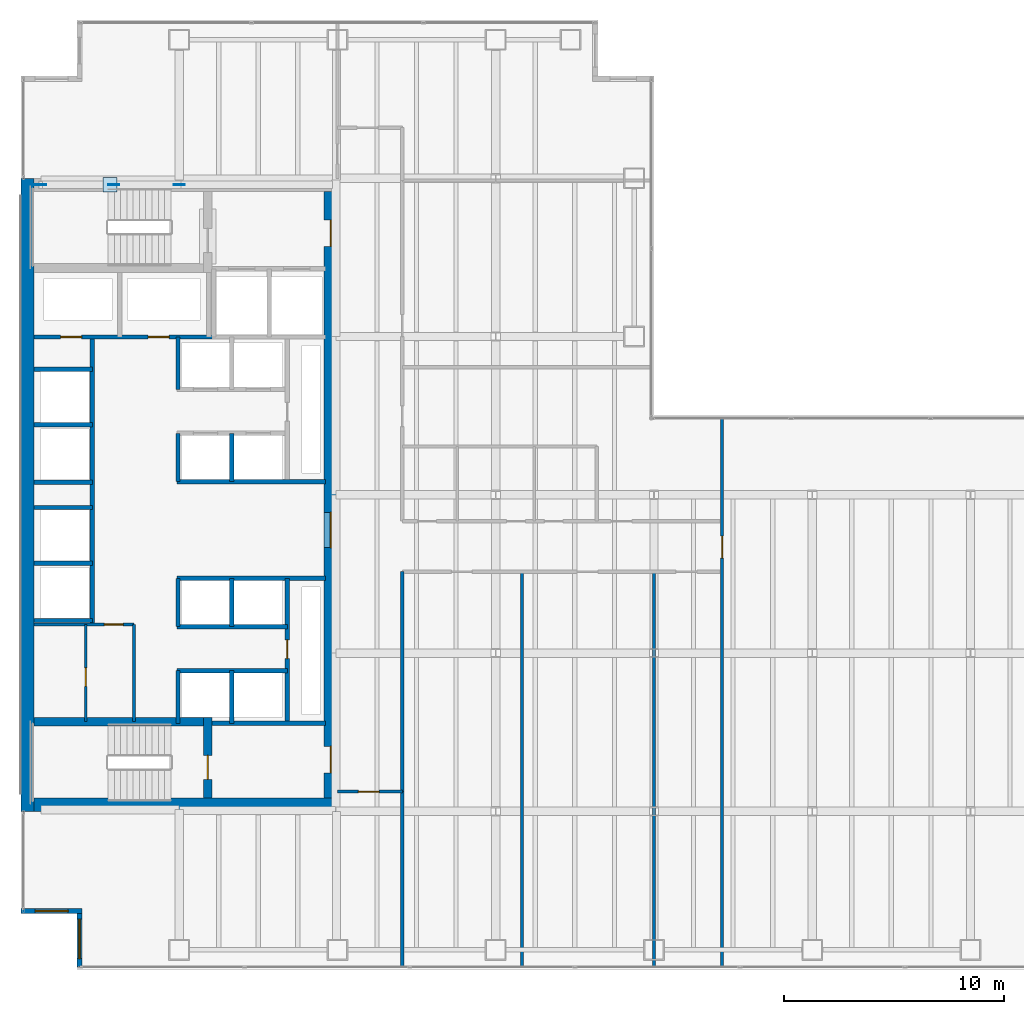
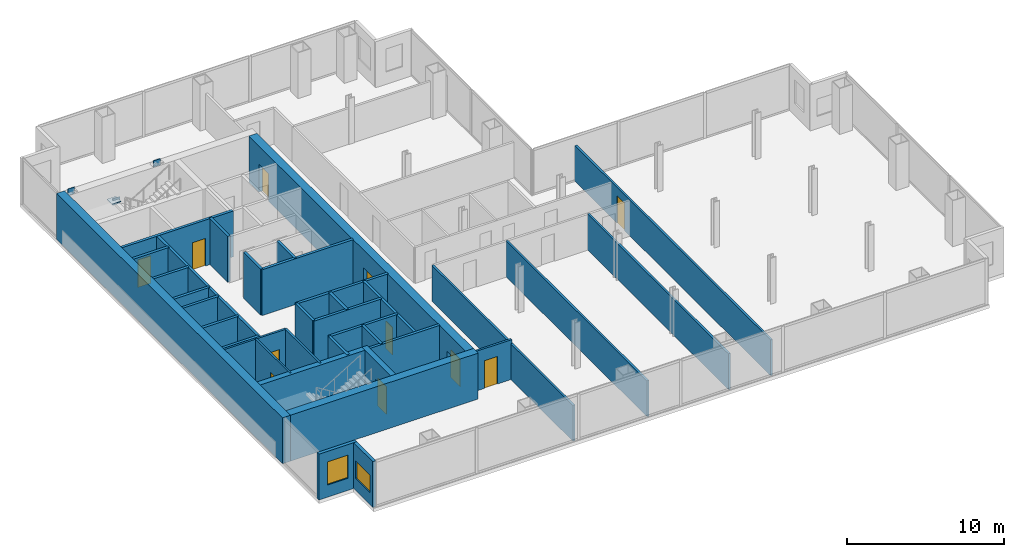
# One storey, part 20 of 23: 37 walls, 11 doors, 4 plates, 2 windows, 13 openings.
"""IFC4 building model written with IfcOpenShell, lengths in metres."""

from ifc_helpers import new_model, si_unit, direction, frame, frame_2d, origin, origin_2d, place, context, subcontext, project, spatial, rectangle, extrude, material, layer, layer_set, type_object, element, fill, save


model = new_model("IFC4")

# Units and contexts
model_context = context("Model", 3, precision=1e-05, world=origin(), true_north=direction((0.0, 1.0)))
body_context = subcontext(model_context, "Body", "Model", "MODEL_VIEW")
ifc_project = project(units=[si_unit("LENGTHUNIT", "METRE"), si_unit("AREAUNIT", "SQUARE_METRE"), si_unit("VOLUMEUNIT", "CUBIC_METRE"), si_unit("PLANEANGLEUNIT", "RADIAN"), si_unit("MASSUNIT", "GRAM", prefix="KILO")], contexts=[model_context])

# Site, building, storey
site_placement = place(None, origin())
site = spatial("IfcSite", under=ifc_project, at=site_placement, CompositionType="ELEMENT")
building_placement = place(site_placement, origin())
building = spatial("IfcBuilding", under=site, at=building_placement, Name="Cobrela Telecom Tower", CompositionType="ELEMENT")
storey_placement = place(building_placement, frame((0.0, 0.0, 81.199951171875)))
storey = spatial("IfcBuildingStorey", under=building, at=storey_placement, Name="L20", CompositionType="ELEMENT", Elevation=81.199951171875)

# Plates
ifc_material_1 = material(Name="Steel ASTM A572 Grade 50", Category="steel")
ifc_layer_1 = layer(ifc_material_1, 0.0419921875)
ifc_layer_set_1 = layer_set([ifc_layer_1], Name="Steel ASTM A572 Grade 50")
plate_type = type_object("IfcPlateType", Name="PLT-NODE-ND1", PredefinedType="USERDEFINED", material=ifc_layer_set_1)
for number, where, z_axis, x_axis, name in (
    (1, (7.199951171875, 35.699951171875, 3.35498046875), (0.0, 0.0, 1.0), (1.0, 0.0, 0.0), "Steel node plate PLT-MBR-EXO-L20-N1-A-1"),
    (2, (4.219482421875, 35.699951171875, 1.431640625), (0.0, 0.0, 1.0), (-1.0, 0.0, 0.0), "Steel node plate PLT-MBR-EXO-L20-N1-B1-1"),
    (3, (0.89990234375, 35.699951171875, 3.35498046875), (0.0, 0.0, 1.0), (-1.0, 0.0, 0.0), "Steel node plate PLT-MBR-EXO-L20-N1-B2-1"),
):
    element("IfcPlate", number, at=place(storey_placement, frame(where, z_axis=z_axis, x_axis=x_axis)), inside=storey, type_object=plate_type, Name=name, ObjectType="GUSSET PLATE", PredefinedType="USERDEFINED", context=body_context, shape_type="SweptSolid", body=[
        extrude(rectangle(XDim=0.510009765625, YDim=0.044921875, at=origin_2d()), origin(), (0.0, 0.0, 1.0), 0.510009765625),
    ])
plate_placement = place(storey_placement, frame((4.050048828125, 35.699951171875, 1.7626953125), z_axis=(0.0, 0.0, 1.0), x_axis=(1.0, 0.0, 0.0)))
element("IfcPlate", 4, at=plate_placement, inside=storey, type_object=plate_type, Name="L20 Core Flange Steel X-Brace Central X-Crossing Gusset Plate", ObjectType="GUSSET PLATE", PredefinedType="USERDEFINED", context=body_context, shape_type="SweptSolid", body=[
    extrude(rectangle(XDim=0.64990234375, YDim=0.64990234375, at=origin_2d()), origin(), (0.0, 0.0, 1.0), 0.044921875),
])

# Walls
ifc_material_2 = material(Name="Concrete C50/60", Category="concrete")
ifc_layer_2 = layer(ifc_material_2, 0.60009765625)
ifc_layer_set_2 = layer_set([ifc_layer_2], Name="Concrete C50/60")
wall_type_1 = type_object("IfcWallType", Name="WALL-CORE-C50-600", PredefinedType="SHEAR", material=ifc_layer_set_2)
wall_1_placement = place(storey_placement, frame((0.300048828125, 7.199951171875, 0.0), z_axis=(0.0, 0.0, 1.0), x_axis=(0.0, 1.0, 0.0)))
element("IfcWall", 5, at=wall_1_placement, inside=storey, type_object=wall_type_1, Name="L20 West Core Shear Wall", PredefinedType="SHEAR", context=body_context, shape_type="SweptSolid", body=[
    extrude(rectangle(XDim=28.800048828125, YDim=0.60009765625, at=frame_2d((14.39990234375, 0.0))), origin(), (0.0, 0.0, 1.0), 3.570068359375),
])
wall_2_placement = place(storey_placement, frame((0.60009765625, 7.5, 0.0), z_axis=(0.0, 0.0, 1.0), x_axis=(1.0, 0.0, 0.0)))
element("IfcWall", 6, at=wall_2_placement, inside=storey, type_object=wall_type_1, Name="L20 South Core Shear Wall", PredefinedType="SHEAR", context=body_context, shape_type="SweptSolid", body=[
    extrude(rectangle(XDim=13.7998046875, YDim=0.60009765625, at=frame_2d((6.89990234375, 0.0))), origin(), (0.0, 0.0, 1.0), 3.570068359375),
])

# Wall, openings, doors
wall_3_placement = place(storey_placement, frame((14.10009765625, 35.39990234375, 0.0), z_axis=(0.0, 0.0, 1.0), x_axis=(0.0, -1.0, 0.0)))
wall_3 = element("IfcWall", 7, at=wall_3_placement, inside=storey, type_object=wall_type_1, Name="L20 East Core Shear Wall", PredefinedType="SHEAR", context=body_context, shape_type="SweptSolid", body=[
    extrude(rectangle(XDim=27.599853515625, YDim=0.60009765625, at=frame_2d((13.7998046875, 0.0))), origin(), (0.0, 0.0, 1.0), 3.570068359375),
])
opening_1_placement = place(wall_3_placement, frame((1.300048828125, 0.0, 0.0)))
opening_1 = element("IfcOpeningElement", 8, at=opening_1_placement, cuts=wall_3, Name="Opening DR-19", PredefinedType="OPENING", context=body_context, shape_type="SweptSolid", body=[
    extrude(rectangle(XDim=1.199951171875, YDim=2.14990234375, at=frame_2d((0.60009765625, 1.074951171875))), frame((0.0, 0.31201171875, 0.0), z_axis=(0.0, -1.0, 0.0), x_axis=(1.0, 0.0, 0.0)), (0.0, 0.0, 1.0), 0.6240234375),
])
opening_2_placement = place(wall_3_placement, frame((25.25, 0.0, 0.0)))
opening_2 = element("IfcOpeningElement", 9, at=opening_2_placement, cuts=wall_3, Name="Opening DR-19", PredefinedType="OPENING", context=body_context, shape_type="SweptSolid", body=[
    extrude(rectangle(XDim=1.199951171875, YDim=2.14990234375, at=frame_2d((0.60009765625, 1.074951171875))), frame((0.0, 0.31201171875, 0.0), z_axis=(0.0, -1.0, 0.0), x_axis=(1.0, 0.0, 0.0)), (0.0, 0.0, 1.0), 0.6240234375),
])
opening_3_placement = place(wall_3_placement, frame((14.60009765625, 0.0, 0.0)))
opening_3 = element("IfcOpeningElement", 10, at=opening_3_placement, cuts=wall_3, Name="Opening DR-51", PredefinedType="OPENING", context=body_context, shape_type="SweptSolid", body=[
    extrude(rectangle(XDim=1.60009765625, YDim=2.199951171875, at=frame_2d((0.800048828125, 1.10009765625))), frame((0.0, 0.31201171875, 0.0), z_axis=(0.0, -1.0, 0.0), x_axis=(1.0, 0.0, 0.0)), (0.0, 0.0, 1.0), 0.6240234375),
])
ifc_material_3 = material(Name="Steel ASTM A36", Category="steel")
door_type_1 = type_object("IfcDoorType", Name="DOOR-FD60-1200", OperationType="SINGLE_SWING_LEFT", PredefinedType="DOOR", material=ifc_material_3)
door_1_placement = place(opening_1_placement, origin())
door_1 = element("IfcDoor", 11, at=door_1_placement, inside=storey, type_object=door_type_1, Name="L20 Door DR-19", OperationType="SINGLE_SWING_LEFT", OverallHeight=2.14990234375, OverallWidth=1.199951171875, PredefinedType="DOOR", context=body_context, shape_type="SweptSolid", body=[
    extrude(rectangle(XDim=1.199951171875, YDim=2.14990234375, at=frame_2d((0.60009765625, 1.074951171875))), frame((0.0, 0.02490234375, 0.0), z_axis=(0.0, -1.0, 0.0), x_axis=(1.0, 0.0, 0.0)), (0.0, 0.0, 1.0), 0.050048828125),
])
fill(opening_1, door_1)
door_2_placement = place(opening_2_placement, origin())
door_2 = element("IfcDoor", 12, at=door_2_placement, inside=storey, type_object=door_type_1, Name="L20 Door DR-19", OperationType="SINGLE_SWING_RIGHT", OverallHeight=2.14990234375, OverallWidth=1.199951171875, PredefinedType="DOOR", context=body_context, shape_type="SweptSolid", body=[
    extrude(rectangle(XDim=1.199951171875, YDim=2.14990234375, at=frame_2d((0.60009765625, 1.074951171875))), frame((0.0, 0.02490234375, 0.0), z_axis=(0.0, -1.0, 0.0), x_axis=(1.0, 0.0, 0.0)), (0.0, 0.0, 1.0), 0.050048828125),
])
fill(opening_2, door_2)
door_type_2 = type_object("IfcDoorType", Name="DOOR-FD60-1600", OperationType="SINGLE_SWING_LEFT", PredefinedType="DOOR", material=ifc_material_3)
door_3_placement = place(opening_3_placement, origin())
door_3 = element("IfcDoor", 13, at=door_3_placement, inside=storey, type_object=door_type_2, Name="L20 Door DR-51", OperationType="DOUBLE_DOOR_SINGLE_SWING", OverallHeight=2.199951171875, OverallWidth=1.60009765625, PredefinedType="DOOR", context=body_context, shape_type="SweptSolid", body=[
    extrude(rectangle(XDim=1.60009765625, YDim=2.199951171875, at=frame_2d((0.800048828125, 1.10009765625))), frame((0.0, 0.02490234375, 0.0), z_axis=(0.0, -1.0, 0.0), x_axis=(1.0, 0.0, 0.0)), (0.0, 0.0, 1.0), 0.050048828125),
])
fill(opening_3, door_3)

# Wall, opening, window
ifc_material_4 = material(Name="Concrete C40/50", Category="concrete")
ifc_layer_3 = layer(ifc_material_4, 0.239990234375)
ifc_layer_set_3 = layer_set([ifc_layer_3], Name="Concrete C40/50")
wall_type_2 = type_object("IfcWallType", Name="WALL-EXT-300", PredefinedType="STANDARD", material=ifc_layer_set_3)
wall_4_placement = place(storey_placement, frame((2.669921875, 0.1201171875, 0.0), z_axis=(0.0, 0.0, 1.0), x_axis=(0.0, 1.0, 0.0)))
wall_4 = element("IfcWall", 14, at=wall_4_placement, inside=storey, type_object=wall_type_2, Name="L20 Insulated Facade Wall 01", PredefinedType="STANDARD", context=body_context, shape_type="SweptSolid", body=[
    extrude(rectangle(XDim=2.5498046875, YDim=0.239990234375, at=frame_2d((1.27490234375, 0.0))), origin(), (0.0, 0.0, 1.0), 3.570068359375),
])
opening_4_placement = place(wall_4_placement, frame((0.375, 0.0, 0.949951171875)))
opening_4 = element("IfcOpeningElement", 15, at=opening_4_placement, cuts=wall_4, Name="Opening WN-27", PredefinedType="OPENING", context=body_context, shape_type="SweptSolid", body=[
    extrude(rectangle(XDim=1.800048828125, YDim=1.35009765625, at=frame_2d((0.89990234375, 0.675048828125))), frame((0.0, 0.1318359375, 0.0), z_axis=(0.0, -1.0, 0.0), x_axis=(1.0, 0.0, 0.0)), (0.0, 0.0, 1.0), 0.263916015625),
])
ifc_material_5 = material(Name="Solar-Control Bronze Low-E Glass", Category="glass")
window_type_1 = type_object("IfcWindowType", Name="WIN-CLER-1800", PartitioningType="SINGLE_PANEL", PredefinedType="WINDOW", material=ifc_material_5)
window_1_placement = place(opening_4_placement, origin())
window_1 = element("IfcWindow", 16, at=window_1_placement, inside=storey, type_object=window_type_1, Name="L20 Corner Notch Facade Window 090", OverallHeight=1.35009765625, OverallWidth=1.800048828125, PartitioningType="SINGLE_PANEL", PredefinedType="WINDOW", context=body_context, shape_type="SweptSolid", body=[
    extrude(rectangle(XDim=1.800048828125, YDim=1.35009765625, at=frame_2d((0.89990234375, 0.675048828125))), frame((0.0, 0.030029296875, 0.0), z_axis=(0.0, -1.0, 0.0), x_axis=(1.0, 0.0, 0.0)), (0.0, 0.0, 1.0), 0.06005859375),
])
fill(opening_4, window_1)

wall_5_placement = place(storey_placement, frame((2.7900390625, 2.669921875, 0.0), z_axis=(0.0, 0.0, 1.0), x_axis=(-1.0, 0.0, 0.0)))
wall_5 = element("IfcWall", 17, at=wall_5_placement, inside=storey, type_object=wall_type_2, Name="L20 Insulated Facade Wall 02", PredefinedType="STANDARD", context=body_context, shape_type="SweptSolid", body=[
    extrude(rectangle(XDim=2.7900390625, YDim=0.239990234375, at=frame_2d((1.39501953125, 0.0))), origin(), (0.0, 0.0, 1.0), 3.570068359375),
])
opening_5_placement = place(wall_5_placement, frame((0.64501953125, 0.0, 0.949951171875)))
opening_5 = element("IfcOpeningElement", 18, at=opening_5_placement, cuts=wall_5, Name="Opening WN-45", PredefinedType="OPENING", context=body_context, shape_type="SweptSolid", body=[
    extrude(rectangle(XDim=1.5, YDim=1.800048828125, at=frame_2d((0.75, 0.89990234375))), frame((0.0, 0.1318359375, 0.0), z_axis=(0.0, -1.0, 0.0), x_axis=(1.0, 0.0, 0.0)), (0.0, 0.0, 1.0), 0.263916015625),
])
window_type_2 = type_object("IfcWindowType", Name="WIN-MOD-1500", PartitioningType="SINGLE_PANEL", PredefinedType="WINDOW", material=ifc_material_5)
window_2_placement = place(opening_5_placement, origin())
window_2 = element("IfcWindow", 19, at=window_2_placement, inside=storey, type_object=window_type_2, Name="L20 Corner Notch Facade Window 091", OverallHeight=1.800048828125, OverallWidth=1.5, PartitioningType="SINGLE_PANEL", PredefinedType="WINDOW", context=body_context, shape_type="SweptSolid", body=[
    extrude(rectangle(XDim=1.5, YDim=1.800048828125, at=frame_2d((0.75, 0.89990234375))), frame((0.0, 0.030029296875, 0.0), z_axis=(0.0, -1.0, 0.0), x_axis=(1.0, 0.0, 0.0)), (0.0, 0.0, 1.0), 0.06005859375),
])
fill(opening_5, window_2)

# Wall, opening, door
ifc_material_6 = material(Name="Fire-Rated Gypsum Plasterboard")
ifc_layer_4 = layer(ifc_material_6, 0.125)
ifc_layer_set_4 = layer_set([ifc_layer_4], Name="Fire-Rated Gypsum Plasterboard")
wall_type_3 = type_object("IfcWallType", Name="WALL-PART-125", PredefinedType="PARTITIONING", material=ifc_layer_set_4)
wall_6_placement = place(storey_placement, frame((2.949951171875, 11.280029296875, 0.0), z_axis=(0.0, 0.0, 1.0), x_axis=(0.0, 1.0, 0.0)))
wall_6 = element("IfcWall", 20, at=wall_6_placement, inside=storey, type_object=wall_type_3, Name="L20 Interior Partition CW-FK1-V", PredefinedType="PARTITIONING", context=body_context, shape_type="SweptSolid", body=[
    extrude(rectangle(XDim=4.419921875, YDim=0.125, at=frame_2d((2.2099609375, 0.0))), origin(), (0.0, 0.0, 1.0), 3.570068359375),
])
opening_6_placement = place(wall_6_placement, frame((1.60009765625, 0.0, 0.0)))
opening_6 = element("IfcOpeningElement", 21, at=opening_6_placement, cuts=wall_6, Name="Opening DR-11", PredefinedType="OPENING", context=body_context, shape_type="SweptSolid", body=[
    extrude(rectangle(XDim=0.85009765625, YDim=2.14990234375, at=frame_2d((0.425048828125, 1.074951171875))), frame((0.0, 0.074462890625, 0.0), z_axis=(0.0, -1.0, 0.0), x_axis=(1.0, 0.0, 0.0)), (0.0, 0.0, 1.0), 0.14892578125),
])
ifc_material_7 = material(Name="Solid Engineered Oak Timber", Category="wood")
door_type_3 = type_object("IfcDoorType", Name="DOOR-INT-850", OperationType="SINGLE_SWING_LEFT", PredefinedType="DOOR", material=ifc_material_7)
door_4_placement = place(opening_6_placement, origin())
door_4 = element("IfcDoor", 22, at=door_4_placement, inside=storey, type_object=door_type_3, Name="L20 Door DR-11", OperationType="SINGLE_SWING_RIGHT", OverallHeight=2.14990234375, OverallWidth=0.85009765625, PredefinedType="DOOR", context=body_context, shape_type="SweptSolid", body=[
    extrude(rectangle(XDim=0.85009765625, YDim=2.14990234375, at=frame_2d((0.425048828125, 1.074951171875))), frame((0.0, 0.02490234375, 0.0), z_axis=(0.0, -1.0, 0.0), x_axis=(1.0, 0.0, 0.0)), (0.0, 0.0, 1.0), 0.050048828125),
])
fill(opening_6, door_4)

ifc_layer_5 = layer(ifc_material_6, 0.14990234375)
ifc_layer_set_5 = layer_set([ifc_layer_5], Name="Fire-Rated Gypsum Plasterboard")
wall_type_4 = type_object("IfcWallType", Name="WALL-PART-150", PredefinedType="PARTITIONING", material=ifc_layer_set_5)
wall_7_placement = place(storey_placement, frame((0.60009765625, 15.699951171875, 0.0), z_axis=(0.0, 0.0, 1.0), x_axis=(1.0, 0.0, 0.0)))
wall_7 = element("IfcWall", 23, at=wall_7_placement, inside=storey, type_object=wall_type_4, Name="L20 Interior Partition CW-FLEX-N", PredefinedType="PARTITIONING", context=body_context, shape_type="SweptSolid", body=[
    extrude(rectangle(XDim=4.5498046875, YDim=0.14990234375, at=frame_2d((2.27490234375, 0.0))), origin(), (0.0, 0.0, 1.0), 3.570068359375),
])
opening_7_placement = place(wall_7_placement, frame((3.199951171875, 0.0, 0.0)))
opening_7 = element("IfcOpeningElement", 24, at=opening_7_placement, cuts=wall_7, Name="Opening DR-11", PredefinedType="OPENING", context=body_context, shape_type="SweptSolid", body=[
    extrude(rectangle(XDim=0.85009765625, YDim=2.14990234375, at=frame_2d((0.425048828125, 1.074951171875))), frame((0.0, 0.0869140625, 0.0), z_axis=(0.0, -1.0, 0.0), x_axis=(1.0, 0.0, 0.0)), (0.0, 0.0, 1.0), 0.173828125),
])
door_5_placement = place(opening_7_placement, origin())
door_5 = element("IfcDoor", 25, at=door_5_placement, inside=storey, type_object=door_type_3, Name="L20 Door DR-11", OperationType="SINGLE_SWING_LEFT", OverallHeight=2.14990234375, OverallWidth=0.85009765625, PredefinedType="DOOR", context=body_context, shape_type="SweptSolid", body=[
    extrude(rectangle(XDim=0.85009765625, YDim=2.14990234375, at=frame_2d((0.425048828125, 1.074951171875))), frame((0.0, 0.02490234375, 0.0), z_axis=(0.0, -1.0, 0.0), x_axis=(1.0, 0.0, 0.0)), (0.0, 0.0, 1.0), 0.050048828125),
])
fill(opening_7, door_5)

# Wall
wall_8_placement = place(storey_placement, frame((5.14990234375, 11.280029296875, 0.0), z_axis=(0.0, 0.0, 1.0), x_axis=(0.0, 1.0, 0.0)))
element("IfcWall", 26, at=wall_8_placement, inside=storey, type_object=wall_type_4, Name="L20 Interior Partition CW-FLEX-E", PredefinedType="PARTITIONING", context=body_context, shape_type="SweptSolid", body=[
    extrude(rectangle(XDim=4.419921875, YDim=0.14990234375, at=frame_2d((2.2099609375, 0.0))), origin(), (0.0, 0.0, 1.0), 3.570068359375),
])

# Wall, opening, door
wall_9_placement = place(storey_placement, frame((14.39990234375, 8.10009765625, 0.0), z_axis=(0.0, 0.0, 1.0), x_axis=(1.0, 0.0, 0.0)))
wall_9 = element("IfcWall", 27, at=wall_9_placement, inside=storey, type_object=wall_type_4, Name="L20 Interior Partition W-C-S0", PredefinedType="PARTITIONING", context=body_context, shape_type="SweptSolid", body=[
    extrude(rectangle(XDim=2.9501953125, YDim=0.14990234375, at=frame_2d((1.47509765625, 0.0))), origin(), (0.0, 0.0, 1.0), 3.088134765625),
])
opening_8_placement = place(wall_9_placement, frame((0.949951171875, 0.0, 0.0)))
opening_8 = element("IfcOpeningElement", 28, at=opening_8_placement, cuts=wall_9, Name="Opening DR-67", PredefinedType="OPENING", context=body_context, shape_type="SweptSolid", body=[
    extrude(rectangle(XDim=0.949951171875, YDim=2.14990234375, at=frame_2d((0.47509765625, 1.074951171875))), frame((0.0, 0.0869140625, 0.0), z_axis=(0.0, -1.0, 0.0), x_axis=(1.0, 0.0, 0.0)), (0.0, 0.0, 1.0), 0.173828125),
])
door_type_4 = type_object("IfcDoorType", Name="DOOR-INT-950", OperationType="SINGLE_SWING_LEFT", PredefinedType="DOOR", material=ifc_material_7)
door_6_placement = place(opening_8_placement, origin())
door_6 = element("IfcDoor", 29, at=door_6_placement, inside=storey, type_object=door_type_4, Name="L20 Door DR-67", OperationType="SINGLE_SWING_RIGHT", OverallHeight=2.14990234375, OverallWidth=0.949951171875, PredefinedType="DOOR", context=body_context, shape_type="SweptSolid", body=[
    extrude(rectangle(XDim=0.949951171875, YDim=2.14990234375, at=frame_2d((0.47509765625, 1.074951171875))), frame((0.0, 0.02490234375, 0.0), z_axis=(0.0, -1.0, 0.0), x_axis=(1.0, 0.0, 0.0)), (0.0, 0.0, 1.0), 0.050048828125),
])
fill(opening_8, door_6)

# Wall
wall_10_placement = place(storey_placement, frame((17.35009765625, 8.10009765625, 0.0), z_axis=(0.0, 0.0, 1.0), x_axis=(0.0, 1.0, 0.0)))
element("IfcWall", 30, at=wall_10_placement, inside=storey, type_object=wall_type_4, Name="L20 Interior Partition W-C-E1", PredefinedType="PARTITIONING", context=body_context, shape_type="SweptSolid", body=[
    extrude(rectangle(XDim=10.0, YDim=0.14990234375, at=frame_2d((5.0, 0.0))), origin(), (0.0, 0.0, 1.0), 2.782958984375),
])

# Wall, opening, door
wall_11_placement = place(storey_placement, frame((31.89990234375, 0.1201171875, 0.0), z_axis=(0.0, 0.0, 1.0), x_axis=(0.0, 1.0, 0.0)))
wall_11 = element("IfcWall", 31, at=wall_11_placement, inside=storey, type_object=wall_type_4, Name="L20 Interior Partition W-C-END", PredefinedType="PARTITIONING", context=body_context, shape_type="SweptSolid", body=[
    extrude(rectangle(XDim=24.9599609375, YDim=0.14990234375, at=frame_2d((12.47998046875, 0.0))), origin(), (0.0, 0.0, 1.0), 2.782958984375),
])
opening_9_placement = place(wall_11_placement, frame((18.60009765625, 0.0, 0.0)))
opening_9 = element("IfcOpeningElement", 32, at=opening_9_placement, cuts=wall_11, Name="Opening DR-31", PredefinedType="OPENING", context=body_context, shape_type="SweptSolid", body=[
    extrude(rectangle(XDim=1.0, YDim=2.14990234375, at=frame_2d((0.5, 1.074951171875))), frame((0.0, 0.0869140625, 0.0), z_axis=(0.0, -1.0, 0.0), x_axis=(1.0, 0.0, 0.0)), (0.0, 0.0, 1.0), 0.173828125),
])
door_type_5 = type_object("IfcDoorType", Name="DOOR-INT-1000", OperationType="SINGLE_SWING_LEFT", PredefinedType="DOOR", material=ifc_material_7)
door_7_placement = place(opening_9_placement, origin())
door_7 = element("IfcDoor", 33, at=door_7_placement, inside=storey, type_object=door_type_5, Name="L20 Door DR-31", OperationType="SINGLE_SWING_LEFT", OverallHeight=2.14990234375, OverallWidth=1.0, PredefinedType="DOOR", context=body_context, shape_type="SweptSolid", body=[
    extrude(rectangle(XDim=1.0, YDim=2.14990234375, at=frame_2d((0.5, 1.074951171875))), frame((0.0, 0.02490234375, 0.0), z_axis=(0.0, -1.0, 0.0), x_axis=(1.0, 0.0, 0.0)), (0.0, 0.0, 1.0), 0.050048828125),
])
fill(opening_9, door_7)

# Walls
wall_12_placement = place(storey_placement, frame((17.35009765625, 0.1201171875, 0.0), z_axis=(0.0, 0.0, 1.0), x_axis=(0.0, 1.0, 0.0)))
element("IfcWall", 34, at=wall_12_placement, inside=storey, type_object=wall_type_4, Name="L20 Interior Partition W-SW-E", PredefinedType="PARTITIONING", context=body_context, shape_type="SweptSolid", body=[
    extrude(rectangle(XDim=7.97998046875, YDim=0.14990234375, at=frame_2d((3.989990234375, 0.0))), origin(), (0.0, 0.0, 1.0), 2.782958984375),
])
for number, where, z_axis, x_axis, name in (
    (35, (22.800048828125, 0.1201171875, 0.0), (0.0, 0.0, 1.0), (0.0, 1.0, 0.0), "L20 Interior Partition W-SV-1"),
    (36, (28.800048828125, 0.1201171875, 0.0), (0.0, 0.0, 1.0), (0.0, 1.0, 0.0), "L20 Interior Partition W-SV-2"),
):
    element("IfcWall", number, at=place(storey_placement, frame(where, z_axis=z_axis, x_axis=x_axis)), inside=storey, type_object=wall_type_4, Name=name, PredefinedType="PARTITIONING", context=body_context, shape_type="SweptSolid", body=[
        extrude(rectangle(XDim=17.97998046875, YDim=0.14990234375, at=frame_2d((8.989990234375, 0.0))), origin(), (0.0, 0.0, 1.0), 2.782958984375),
    ])
ifc_layer_6 = layer(ifc_material_6, 0.199951171875)
ifc_layer_set_6 = layer_set([ifc_layer_6], Name="Fire-Rated Gypsum Plasterboard")
wall_type_5 = type_object("IfcWallType", Name="WALL-SHAFT-200", PredefinedType="PARTITIONING", material=ifc_layer_set_6)
wall_13_placement = place(storey_placement, frame((8.699951171875, 11.199951171875, 0.0), z_axis=(0.0, 0.0, 1.0), x_axis=(1.0, 0.0, 0.0)))
element("IfcWall", 37, at=wall_13_placement, inside=storey, type_object=wall_type_5, Name="L20 Shaft Enclosure CW-ST2L-N", PredefinedType="PARTITIONING", context=body_context, shape_type="SweptSolid", body=[
    extrude(rectangle(XDim=5.150146484375, YDim=0.199951171875, at=frame_2d((2.5751953125, 0.0))), origin(), (0.0, 0.0, 1.0), 3.570068359375),
])

# Wall, openings, doors
wall_14_placement = place(storey_placement, frame((0.60009765625, 28.780029296875, 0.0), z_axis=(0.0, 0.0, 1.0), x_axis=(1.0, 0.0, 0.0)))
wall_14 = element("IfcWall", 38, at=wall_14_placement, inside=storey, type_object=wall_type_5, Name="L20 Shaft Enclosure CW-RIS-S", PredefinedType="PARTITIONING", context=body_context, shape_type="SweptSolid", body=[
    extrude(rectangle(XDim=8.179931640625, YDim=0.199951171875, at=frame_2d((4.08984375, 0.0))), origin(), (0.0, 0.0, 1.0), 3.570068359375),
])
opening_10_placement = place(wall_14_placement, frame((1.2099609375, 0.0, 0.0)))
opening_10 = element("IfcOpeningElement", 39, at=opening_10_placement, cuts=wall_14, Name="Opening DR-65", PredefinedType="OPENING", context=body_context, shape_type="SweptSolid", body=[
    extrude(rectangle(XDim=0.949951171875, YDim=2.14990234375, at=frame_2d((0.47509765625, 1.074951171875))), frame((0.0, 0.11181640625, 0.0), z_axis=(0.0, -1.0, 0.0), x_axis=(1.0, 0.0, 0.0)), (0.0, 0.0, 1.0), 0.223876953125),
])
opening_11_placement = place(wall_14_placement, frame((5.18994140625, 0.0, 0.0)))
opening_11 = element("IfcOpeningElement", 40, at=opening_11_placement, cuts=wall_14, Name="Opening DR-65", PredefinedType="OPENING", context=body_context, shape_type="SweptSolid", body=[
    extrude(rectangle(XDim=0.949951171875, YDim=2.14990234375, at=frame_2d((0.47509765625, 1.074951171875))), frame((0.0, 0.11181640625, 0.0), z_axis=(0.0, -1.0, 0.0), x_axis=(1.0, 0.0, 0.0)), (0.0, 0.0, 1.0), 0.223876953125),
])
door_type_6 = type_object("IfcDoorType", Name="DOOR-FD60-950", OperationType="SINGLE_SWING_LEFT", PredefinedType="DOOR", material=ifc_material_3)
door_8_placement = place(opening_10_placement, origin())
door_8 = element("IfcDoor", 41, at=door_8_placement, inside=storey, type_object=door_type_6, Name="L20 Door DR-65", OperationType="SINGLE_SWING_LEFT", OverallHeight=2.14990234375, OverallWidth=0.949951171875, PredefinedType="DOOR", context=body_context, shape_type="SweptSolid", body=[
    extrude(rectangle(XDim=0.949951171875, YDim=2.14990234375, at=frame_2d((0.47509765625, 1.074951171875))), frame((0.0, 0.02490234375, 0.0), z_axis=(0.0, -1.0, 0.0), x_axis=(1.0, 0.0, 0.0)), (0.0, 0.0, 1.0), 0.050048828125),
])
fill(opening_10, door_8)
door_9_placement = place(opening_11_placement, origin())
door_9 = element("IfcDoor", 42, at=door_9_placement, inside=storey, type_object=door_type_6, Name="L20 Door DR-65", OperationType="SINGLE_SWING_RIGHT", OverallHeight=2.14990234375, OverallWidth=0.949951171875, PredefinedType="DOOR", context=body_context, shape_type="SweptSolid", body=[
    extrude(rectangle(XDim=0.949951171875, YDim=2.14990234375, at=frame_2d((0.47509765625, 1.074951171875))), frame((0.0, 0.02490234375, 0.0), z_axis=(0.0, -1.0, 0.0), x_axis=(1.0, 0.0, 0.0)), (0.0, 0.0, 1.0), 0.050048828125),
])
fill(opening_11, door_9)

# Walls
wall_15_placement = place(storey_placement, frame((3.25, 15.699951171875, 0.0), z_axis=(0.0, 0.0, 1.0), x_axis=(0.0, 1.0, 0.0)))
element("IfcWall", 43, at=wall_15_placement, inside=storey, type_object=wall_type_5, Name="L20 Shaft Enclosure CW-PLH-E", PredefinedType="PARTITIONING", context=body_context, shape_type="SweptSolid", body=[
    extrude(rectangle(XDim=13.080078125, YDim=0.199951171875, at=frame_2d((6.5400390625, 0.0))), origin(), (0.0, 0.0, 1.0), 3.570068359375),
])
for number, where, z_axis, x_axis, name in (
    (44, (0.60009765625, 15.8798828125, 0.0), (0.0, 0.0, 1.0), (1.0, 0.0, 0.0), "L20 Shaft Enclosure CW-PLH-D9"),
    (45, (0.60009765625, 18.47998046875, 0.0), (0.0, 0.0, 1.0), (1.0, 0.0, 0.0), "L20 Shaft Enclosure CW-PLH-D10"),
    (46, (0.60009765625, 22.179931640625, 0.0), (0.0, 0.0, 1.0), (1.0, 0.0, 0.0), "L20 Shaft Enclosure CW-PLH-D11"),
    (47, (0.60009765625, 24.780029296875, 0.0), (0.0, 0.0, 1.0), (1.0, 0.0, 0.0), "L20 Shaft Enclosure CW-PLH-D12"),
    (48, (0.60009765625, 21.02001953125, 0.0), (0.0, 0.0, 1.0), (1.0, 0.0, 0.0), "L20 Shaft Enclosure CW-PLH-MID"),
    (49, (0.60009765625, 27.320068359375, 0.0), (0.0, 0.0, 1.0), (1.0, 0.0, 0.0), "L20 Shaft Enclosure CW-PLH-TOP"),
):
    element("IfcWall", number, at=place(storey_placement, frame(where, z_axis=z_axis, x_axis=x_axis)), inside=storey, type_object=wall_type_5, Name=name, PredefinedType="PARTITIONING", context=body_context, shape_type="SweptSolid", body=[
        extrude(rectangle(XDim=2.64990234375, YDim=0.199951171875, at=frame_2d((1.324951171875, 0.0))), origin(), (0.0, 0.0, 1.0), 3.570068359375),
    ])
wall_16_placement = place(storey_placement, frame((7.10009765625, 22.199951171875, 0.0), z_axis=(0.0, 0.0, 1.0), x_axis=(1.0, 0.0, 0.0)))
element("IfcWall", 50, at=wall_16_placement, inside=storey, type_object=wall_type_5, Name="L20 Shaft Enclosure CW-PLL-B0", PredefinedType="PARTITIONING", context=body_context, shape_type="SweptSolid", body=[
    extrude(rectangle(XDim=6.75, YDim=0.199951171875, at=frame_2d((3.375, 0.0))), origin(), (0.0, 0.0, 1.0), 3.570068359375),
])
wall_17_placement = place(storey_placement, frame((7.14990234375, 22.199951171875, 0.0), z_axis=(0.0, 0.0, 1.0), x_axis=(0.0, 1.0, 0.0)))
element("IfcWall", 51, at=wall_17_placement, inside=storey, type_object=wall_type_5, Name="L20 Shaft Enclosure CW-PLL-V1", PredefinedType="PARTITIONING", context=body_context, shape_type="SweptSolid", body=[
    extrude(rectangle(XDim=2.199951171875, YDim=0.199951171875, at=frame_2d((1.10009765625, 0.0))), origin(), (0.0, 0.0, 1.0), 3.570068359375),
])
wall_18_placement = place(storey_placement, frame((7.14990234375, 26.39990234375, 0.0), z_axis=(0.0, 0.0, 1.0), x_axis=(0.0, 1.0, 0.0)))
element("IfcWall", 52, at=wall_18_placement, inside=storey, type_object=wall_type_5, Name="L20 Shaft Enclosure CW-PLL-V1B", PredefinedType="PARTITIONING", context=body_context, shape_type="SweptSolid", body=[
    extrude(rectangle(XDim=2.380126953125, YDim=0.199951171875, at=frame_2d((1.18994140625, 0.0))), origin(), (0.0, 0.0, 1.0), 3.570068359375),
])
wall_19_placement = place(storey_placement, frame((9.60009765625, 22.199951171875, 0.0), z_axis=(0.0, 0.0, 1.0), x_axis=(0.0, 1.0, 0.0)))
element("IfcWall", 53, at=wall_19_placement, inside=storey, type_object=wall_type_5, Name="L20 Shaft Enclosure CW-PLL-V2", PredefinedType="PARTITIONING", context=body_context, shape_type="SweptSolid", body=[
    extrude(rectangle(XDim=2.199951171875, YDim=0.199951171875, at=frame_2d((1.10009765625, 0.0))), origin(), (0.0, 0.0, 1.0), 3.570068359375),
])
wall_20_placement = place(storey_placement, frame((7.10009765625, 17.800048828125, 0.0), z_axis=(0.0, 0.0, 1.0), x_axis=(1.0, 0.0, 0.0)))
element("IfcWall", 54, at=wall_20_placement, inside=storey, type_object=wall_type_5, Name="L20 Shaft Enclosure CW-PLM-T0", PredefinedType="PARTITIONING", context=body_context, shape_type="SweptSolid", body=[
    extrude(rectangle(XDim=6.75, YDim=0.199951171875, at=frame_2d((3.375, 0.0))), origin(), (0.0, 0.0, 1.0), 3.570068359375),
])
for number, where, z_axis, x_axis, name in (
    (55, (7.10009765625, 15.60009765625, 0.0), (0.0, 0.0, 1.0), (1.0, 0.0, 0.0), "L20 Shaft Enclosure CW-PLM-N"),
    (56, (7.10009765625, 13.60009765625, 0.0), (0.0, 0.0, 1.0), (1.0, 0.0, 0.0), "L20 Shaft Enclosure CW-PLM-S"),
):
    element("IfcWall", number, at=place(storey_placement, frame(where, z_axis=z_axis, x_axis=x_axis)), inside=storey, type_object=wall_type_5, Name=name, PredefinedType="PARTITIONING", context=body_context, shape_type="SweptSolid", body=[
        extrude(rectangle(XDim=5.02001953125, YDim=0.199951171875, at=frame_2d((2.510009765625, 0.0))), origin(), (0.0, 0.0, 1.0), 3.570068359375),
    ])
wall_21_placement = place(storey_placement, frame((7.14990234375, 15.60009765625, 0.0), z_axis=(0.0, 0.0, 1.0), x_axis=(0.0, 1.0, 0.0)))
element("IfcWall", 57, at=wall_21_placement, inside=storey, type_object=wall_type_5, Name="L20 Shaft Enclosure CW-PLM-V1", PredefinedType="PARTITIONING", context=body_context, shape_type="SweptSolid", body=[
    extrude(rectangle(XDim=2.199951171875, YDim=0.199951171875, at=frame_2d((1.10009765625, 0.0))), origin(), (0.0, 0.0, 1.0), 3.570068359375),
])
wall_22_placement = place(storey_placement, frame((7.14990234375, 11.199951171875, 0.0), z_axis=(0.0, 0.0, 1.0), x_axis=(0.0, 1.0, 0.0)))
element("IfcWall", 58, at=wall_22_placement, inside=storey, type_object=wall_type_5, Name="L20 Shaft Enclosure CW-PLM-V1B", PredefinedType="PARTITIONING", context=body_context, shape_type="SweptSolid", body=[
    extrude(rectangle(XDim=2.400146484375, YDim=0.199951171875, at=frame_2d((1.2001953125, 0.0))), origin(), (0.0, 0.0, 1.0), 3.570068359375),
])
wall_23_placement = place(storey_placement, frame((9.60009765625, 15.60009765625, 0.0), z_axis=(0.0, 0.0, 1.0), x_axis=(0.0, 1.0, 0.0)))
element("IfcWall", 59, at=wall_23_placement, inside=storey, type_object=wall_type_5, Name="L20 Shaft Enclosure CW-PLM-V2", PredefinedType="PARTITIONING", context=body_context, shape_type="SweptSolid", body=[
    extrude(rectangle(XDim=2.199951171875, YDim=0.199951171875, at=frame_2d((1.10009765625, 0.0))), origin(), (0.0, 0.0, 1.0), 3.570068359375),
])
wall_24_placement = place(storey_placement, frame((9.60009765625, 11.199951171875, 0.0), z_axis=(0.0, 0.0, 1.0), x_axis=(0.0, 1.0, 0.0)))
element("IfcWall", 60, at=wall_24_placement, inside=storey, type_object=wall_type_5, Name="L20 Shaft Enclosure CW-PLM-V2B", PredefinedType="PARTITIONING", context=body_context, shape_type="SweptSolid", body=[
    extrude(rectangle(XDim=2.400146484375, YDim=0.199951171875, at=frame_2d((1.2001953125, 0.0))), origin(), (0.0, 0.0, 1.0), 3.570068359375),
])

# Wall, opening, door
wall_25_placement = place(storey_placement, frame((12.1201171875, 11.199951171875, 0.0), z_axis=(0.0, 0.0, 1.0), x_axis=(0.0, 1.0, 0.0)))
wall_25 = element("IfcWall", 61, at=wall_25_placement, inside=storey, type_object=wall_type_5, Name="L20 Shaft Enclosure CW-PLM-V3", PredefinedType="PARTITIONING", context=body_context, shape_type="SweptSolid", body=[
    extrude(rectangle(XDim=6.60009765625, YDim=0.199951171875, at=frame_2d((3.300048828125, 0.0))), origin(), (0.0, 0.0, 1.0), 3.570068359375),
])
opening_12_placement = place(wall_25_placement, frame((2.949951171875, 0.0, 0.0)))
opening_12 = element("IfcOpeningElement", 62, at=opening_12_placement, cuts=wall_25, Name="Opening DR-11", PredefinedType="OPENING", context=body_context, shape_type="SweptSolid", body=[
    extrude(rectangle(XDim=0.85009765625, YDim=2.14990234375, at=frame_2d((0.425048828125, 1.074951171875))), frame((0.0, 0.11181640625, 0.0), z_axis=(0.0, -1.0, 0.0), x_axis=(1.0, 0.0, 0.0)), (0.0, 0.0, 1.0), 0.223876953125),
])
door_10_placement = place(opening_12_placement, origin())
door_10 = element("IfcDoor", 63, at=door_10_placement, inside=storey, type_object=door_type_3, Name="L20 Door DR-11", OperationType="SINGLE_SWING_RIGHT", OverallHeight=2.14990234375, OverallWidth=0.85009765625, PredefinedType="DOOR", context=body_context, shape_type="SweptSolid", body=[
    extrude(rectangle(XDim=0.85009765625, YDim=2.14990234375, at=frame_2d((0.425048828125, 1.074951171875))), frame((0.0, 0.02490234375, 0.0), z_axis=(0.0, -1.0, 0.0), x_axis=(1.0, 0.0, 0.0)), (0.0, 0.0, 1.0), 0.050048828125),
])
fill(opening_12, door_10)

# Wall
ifc_layer_7 = layer(ifc_material_4, 0.39990234375)
ifc_layer_set_7 = layer_set([ifc_layer_7], Name="Concrete C40/50")
wall_type_6 = type_object("IfcWallType", Name="WALL-SHAFT-C40-400", PredefinedType="SHEAR", material=ifc_layer_set_7)
wall_26_placement = place(storey_placement, frame((0.60009765625, 11.280029296875, 0.0), z_axis=(0.0, 0.0, 1.0), x_axis=(1.0, 0.0, 0.0)))
element("IfcWall", 64, at=wall_26_placement, inside=storey, type_object=wall_type_6, Name="L20 South Stair Shear Wall", PredefinedType="SHEAR", context=body_context, shape_type="SweptSolid", body=[
    extrude(rectangle(XDim=7.699951171875, YDim=0.39990234375, at=frame_2d((3.85009765625, 0.0))), origin(), (0.0, 0.0, 1.0), 3.570068359375),
])

# Wall, opening, door
wall_27_placement = place(storey_placement, frame((8.5, 7.800048828125, 0.0), z_axis=(0.0, 0.0, 1.0), x_axis=(0.0, 1.0, 0.0)))
wall_27 = element("IfcWall", 65, at=wall_27_placement, inside=storey, type_object=wall_type_6, Name="L20 South Stair Lobby Shear Wall", PredefinedType="SHEAR", context=body_context, shape_type="SweptSolid", body=[
    extrude(rectangle(XDim=3.679931640625, YDim=0.39990234375, at=frame_2d((1.83984375, 0.0))), origin(), (0.0, 0.0, 1.0), 3.570068359375),
])
opening_13_placement = place(wall_27_placement, frame((0.85009765625, 0.0, 0.0)))
opening_13 = element("IfcOpeningElement", 66, at=opening_13_placement, cuts=wall_27, Name="Opening FD-90", PredefinedType="OPENING", context=body_context, shape_type="SweptSolid", body=[
    extrude(rectangle(XDim=1.10009765625, YDim=2.14990234375, at=frame_2d((0.550048828125, 1.074951171875))), frame((0.0, 0.2119140625, 0.0), z_axis=(0.0, -1.0, 0.0), x_axis=(1.0, 0.0, 0.0)), (0.0, 0.0, 1.0), 0.423828125),
])
door_type_7 = type_object("IfcDoorType", Name="DOOR-FD90-1100", OperationType="SINGLE_SWING_LEFT", PredefinedType="DOOR", material=ifc_material_3)
door_11_placement = place(opening_13_placement, origin())
door_11 = element("IfcDoor", 67, at=door_11_placement, inside=storey, type_object=door_type_7, Name="L20 Door FD-90", OperationType="SINGLE_SWING_LEFT", OverallHeight=2.14990234375, OverallWidth=1.10009765625, PredefinedType="DOOR", context=body_context, shape_type="SweptSolid", body=[
    extrude(rectangle(XDim=1.10009765625, YDim=2.14990234375, at=frame_2d((0.550048828125, 1.074951171875))), frame((0.0, 0.02490234375, 0.0), z_axis=(0.0, -1.0, 0.0), x_axis=(1.0, 0.0, 0.0)), (0.0, 0.0, 1.0), 0.050048828125),
])
fill(opening_13, door_11)

save(model, "model.ifc")
